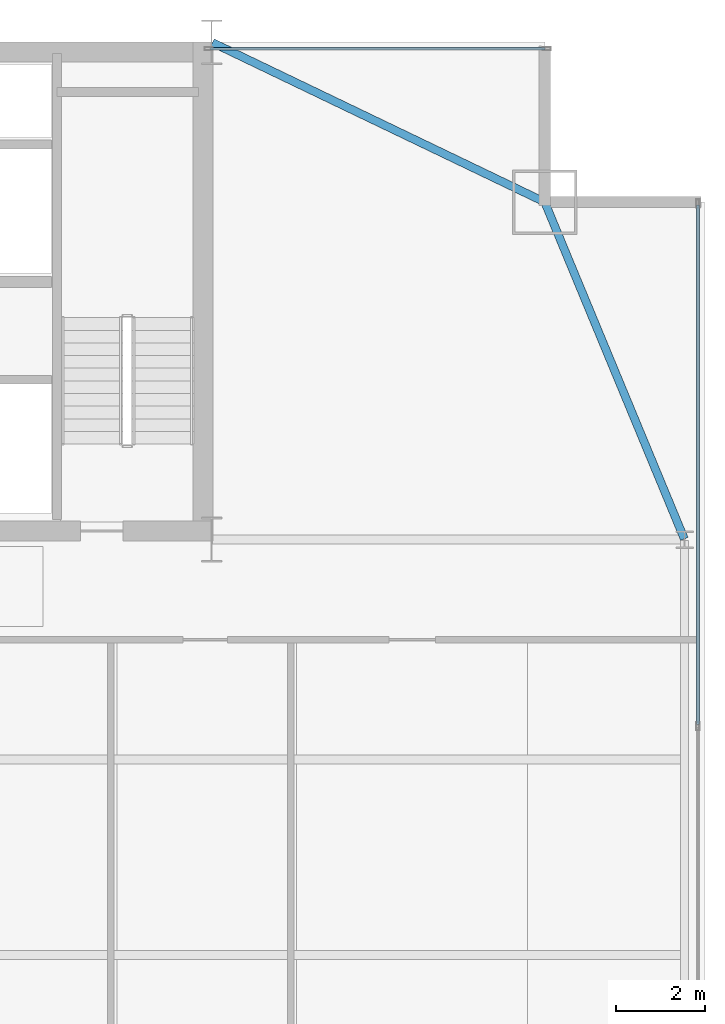
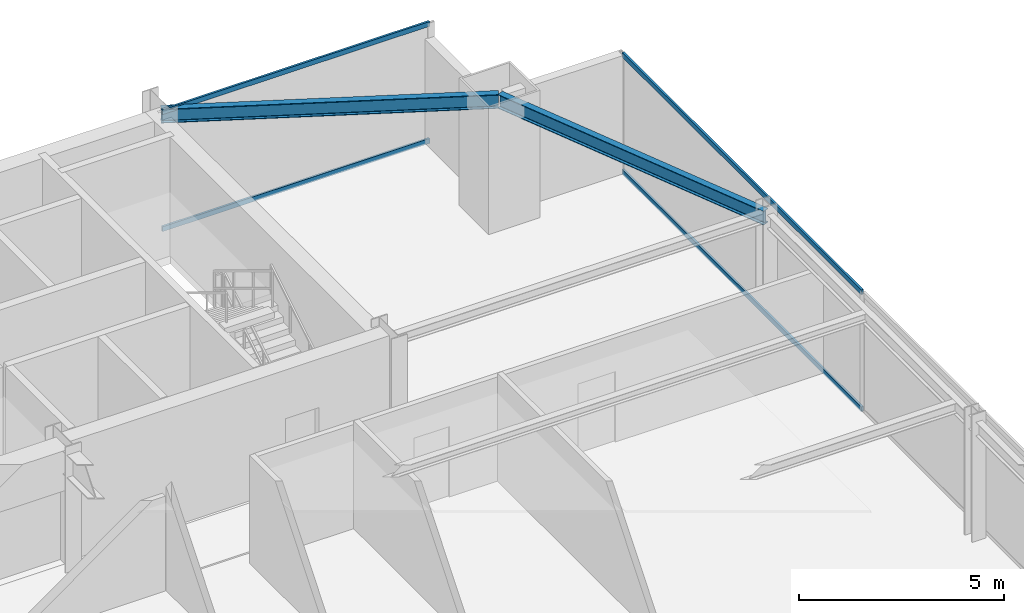
# One storey, part 25 of 32: 4 members, 2 beams, 2 elements without a shape of their own.
"""IFC4 building model written with IfcOpenShell, lengths in metres."""

from ifc_helpers import new_model, si_unit, direction, frame, origin, origin_2d, place, context, subcontext, project, spatial, hollow_rectangle, i_section, extrude, source, transform, mapped, material, layer, layer_set, material_profile, profile_set, type_object, type_shapes, element, aggregate, save


model = new_model("IFC4")

# Units and contexts
model_context = context("Model", 3, precision=1e-05, world=origin(), true_north=direction((0.0, 1.0)))
body_context = subcontext(model_context, "Body", "Model", "MODEL_VIEW")
ifc_project = project(units=[si_unit("LENGTHUNIT", "METRE"), si_unit("AREAUNIT", "SQUARE_METRE"), si_unit("VOLUMEUNIT", "CUBIC_METRE"), si_unit("PLANEANGLEUNIT", "RADIAN"), si_unit("MASSUNIT", "GRAM", prefix="KILO")], contexts=[model_context])

# Site, building, storey
site_placement = place(None, origin())
site = spatial("IfcSite", under=ifc_project, at=site_placement, CompositionType="ELEMENT")
building_placement = place(site_placement, origin())
building = spatial("IfcBuilding", under=site, at=building_placement, Name="Varnel Quay Broadcast Tower", CompositionType="ELEMENT")
storey_placement = place(building_placement, frame((0.0, 0.0, 133.39990234375)))
storey = spatial("IfcBuildingStorey", under=building, at=storey_placement, Name="L32", CompositionType="ELEMENT", Elevation=133.39990234375)

# Beams
ifc_material_1 = material(Name="Structural Steel CSA G40.21 350W", Category="steel")
ifc_material_profile_1 = material_profile(ifc_material_1, i_section(OverallWidth=0.180908203125, OverallDepth=0.4169921875, WebThickness=0.010986328125, FlangeThickness=0.018310546875, FilletRadius=0.011962890625, at=origin_2d()), Name="W410X85")
ifc_profile_set_1 = profile_set([ifc_material_profile_1], Name="Structural Steel CSA G40.21 350W")
beam_type = type_object("IfcBeamType", Name="Beam_W410X85", PredefinedType="SPANDREL", material=ifc_profile_set_1)
shared_shape_1 = source(origin(), body_context, "Body", "SweptSolid", [
    extrude(i_section(OverallWidth=0.180908203125, OverallDepth=0.4169921875, WebThickness=0.010986328125, FlangeThickness=0.018310546875, FilletRadius=0.011962890625, at=origin_2d()), origin(), (0.0, 0.0, 1.0), 8.186767578125),
])
beam_1_placement = place(storey_placement, frame((63.042236328125, 35.618408203125, 3.341552734375), z_axis=(-0.382874132092, 0.923800519038, 0.0), x_axis=(-0.923800519038, -0.382874132092, 0.0)))
element("IfcBeam", 1, at=beam_1_placement, inside=storey, type_object=beam_type, Name="L32 East Spandrel TC-E3-MC-NE", PredefinedType="SPANDREL", context=body_context, shape_type="MappedRepresentation", body=[
    mapped(shared_shape_1, transform((0.0, 0.0, 0.0), x_axis=(1.0, 0.0, 0.0), y_axis=(0.0, 1.0, 0.0), z_axis=(0.0, 0.0, 1.0), scale=1.0)),
])
shared_shape_2 = source(origin(), body_context, "Body", "SweptSolid", [
    extrude(i_section(OverallWidth=0.180908203125, OverallDepth=0.4169921875, WebThickness=0.010986328125, FlangeThickness=0.018310546875, FilletRadius=0.011962890625, at=origin_2d()), origin(), (0.0, 0.0, 1.0), 8.279296875),
])
type_shapes(beam_type, [shared_shape_1, shared_shape_2])
beam_2_placement = place(storey_placement, frame((52.41796875, 46.791259765625, 3.341552734375), z_axis=(0.901535021024, -0.432706142626, 0.0), x_axis=(0.432706142626, 0.901535021024, 0.0)))
element("IfcBeam", 2, at=beam_2_placement, inside=storey, type_object=beam_type, Name="L32 NE Tie Spandrel", PredefinedType="SPANDREL", context=body_context, shape_type="MappedRepresentation", body=[
    mapped(shared_shape_2, transform((0.0, 0.0, 0.0), x_axis=(1.0, 0.0, 0.0), y_axis=(0.0, 1.0, 0.0), z_axis=(0.0, 0.0, 1.0), scale=1.0)),
])

# Curtain wall, members
ifc_material_2 = material(Name="Anodised Bronze Aluminium 6063-T6", Category="aluminium")
ifc_layer = layer(ifc_material_2, 0.18994140625, Name="Anodised Bronze Aluminium 6063-T6")
ifc_layer_set = layer_set([ifc_layer], Name="Anodised Bronze Aluminium 6063-T6")
curtain_wall_type = type_object("IfcCurtainWallType", Name="CW_LowerTower", PredefinedType="NOTDEFINED", material=ifc_layer_set)
curtain_wall_1_placement = place(storey_placement, origin())
curtain_wall_1 = element("IfcCurtainWall", 3, at=curtain_wall_1_placement, inside=storey, type_object=curtain_wall_type, Name="L32 East Unitised Curtain Wall", PredefinedType="NOTDEFINED")
ifc_material_profile_2 = material_profile(ifc_material_2, hollow_rectangle(XDim=0.06005859375, YDim=0.14501953125, WallThickness=0.00341796875, at=origin_2d()), Name="ALU60X145X3.5")
ifc_profile_set_2 = profile_set([ifc_material_profile_2], Name="Anodised Bronze Aluminium 6063-T6")
member_type = type_object("IfcMemberType", Name="Tran_CWS-02", PredefinedType="USERDEFINED", material=ifc_profile_set_2)
shared_shape_3 = source(origin(), body_context, "Body", "SweptSolid", [
    extrude(hollow_rectangle(XDim=0.06005859375, YDim=0.14501953125, WallThickness=0.00341796875, at=origin_2d()), origin(), (0.0, 0.0, 1.0), 11.69482421875),
])
member_1_placement = place(storey_placement, frame((63.35009765625, 31.43505859375, 0.030029296875), z_axis=(0.0, 1.0, 0.0), x_axis=(-1.0, 0.0, 0.0)))
member_1 = element("IfcMember", 4, at=member_1_placement, type_object=member_type, Name="CWS-02 transom 3.1", ObjectType="TRANSOM", PredefinedType="USERDEFINED", context=body_context, shape_type="MappedRepresentation", body=[
    mapped(shared_shape_3, transform((0.0, 0.0, 0.0), x_axis=(1.0, 0.0, 0.0), y_axis=(0.0, 1.0, 0.0), z_axis=(0.0, 0.0, 1.0), scale=1.0)),
])
member_2_placement = place(storey_placement, frame((63.35009765625, 31.43505859375, 3.52001953125), z_axis=(0.0, 1.0, 0.0), x_axis=(-1.0, 0.0, 0.0)))
member_2 = element("IfcMember", 5, at=member_2_placement, type_object=member_type, Name="CWS-02 transom 3.2", ObjectType="TRANSOM", PredefinedType="USERDEFINED", context=body_context, shape_type="MappedRepresentation", body=[
    mapped(shared_shape_3, transform((0.0, 0.0, 0.0), x_axis=(1.0, 0.0, 0.0), y_axis=(0.0, 1.0, 0.0), z_axis=(0.0, 0.0, 1.0), scale=1.0)),
])
aggregate(curtain_wall_1, [member_1, member_2])

curtain_wall_2_placement = place(storey_placement, origin())
curtain_wall_2 = element("IfcCurtainWall", 6, at=curtain_wall_2_placement, inside=storey, type_object=curtain_wall_type, Name="L32 NE Wing Curtain Wall", PredefinedType="NOTDEFINED")
shared_shape_4 = source(origin(), body_context, "Body", "SweptSolid", [
    extrude(hollow_rectangle(XDim=0.06005859375, YDim=0.14501953125, WallThickness=0.00341796875, at=origin_2d()), origin(), (0.0, 0.0, 1.0), 7.539794921875),
])
type_shapes(member_type, [shared_shape_3, shared_shape_4])
member_3_placement = place(storey_placement, frame((52.3701171875, 46.64990234375, 0.030029296875), z_axis=(1.0, 0.0, 0.0), x_axis=(0.0, 1.0, 0.0)))
member_3 = element("IfcMember", 7, at=member_3_placement, type_object=member_type, Name="CWS-02 transom 1.1", ObjectType="TRANSOM", PredefinedType="USERDEFINED", context=body_context, shape_type="MappedRepresentation", body=[
    mapped(shared_shape_4, transform((0.0, 0.0, 0.0), x_axis=(1.0, 0.0, 0.0), y_axis=(0.0, 1.0, 0.0), z_axis=(0.0, 0.0, 1.0), scale=1.0)),
])
member_4_placement = place(storey_placement, frame((52.3701171875, 46.64990234375, 3.52001953125), z_axis=(1.0, 0.0, 0.0), x_axis=(0.0, 1.0, 0.0)))
member_4 = element("IfcMember", 8, at=member_4_placement, type_object=member_type, Name="CWS-02 transom 1.2", ObjectType="TRANSOM", PredefinedType="USERDEFINED", context=body_context, shape_type="MappedRepresentation", body=[
    mapped(shared_shape_4, transform((0.0, 0.0, 0.0), x_axis=(1.0, 0.0, 0.0), y_axis=(0.0, 1.0, 0.0), z_axis=(0.0, 0.0, 1.0), scale=1.0)),
])
aggregate(curtain_wall_2, [member_3, member_4])

save(model, "model.ifc")
